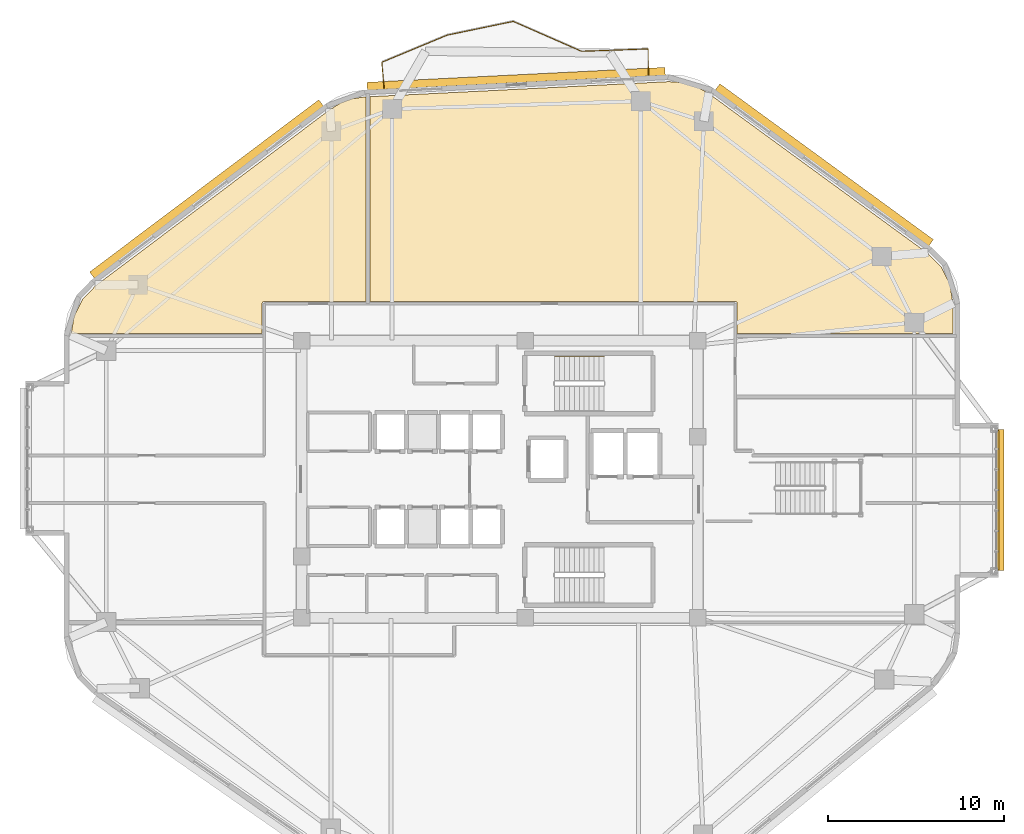
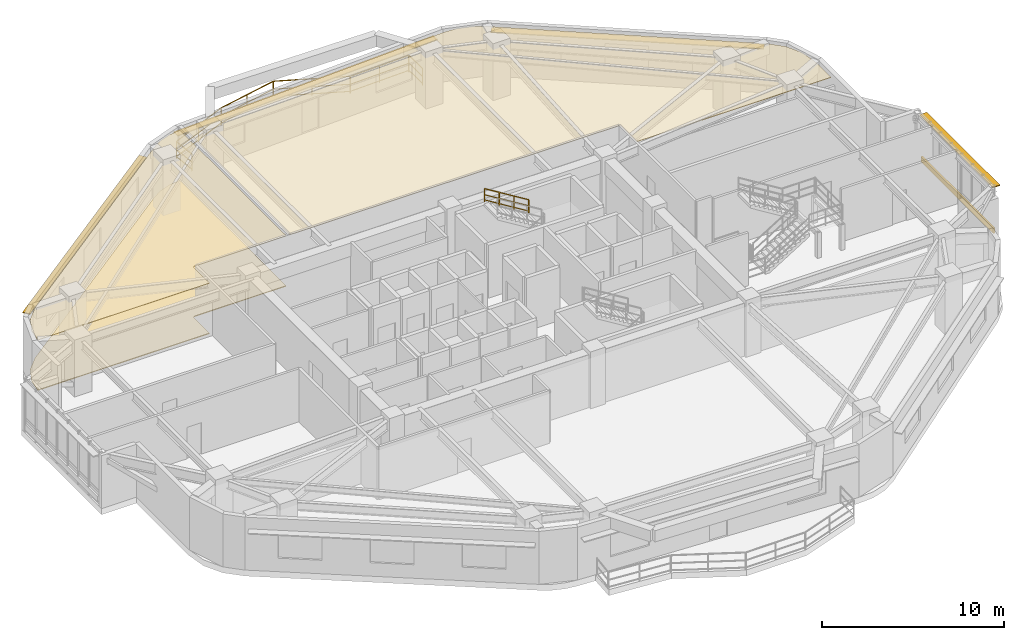
# One storey, part 15 of 16: 7 railings, 5 shading devices, 3 coverings.
"""IFC4 building model written with IfcOpenShell, lengths in metres."""

from ifc_helpers import new_model, si_unit, direction, frame, origin, origin_2d, place, context, subcontext, project, spatial, polyline, rectangle, outline, extrude, material, layer, layer_set, type_object, element, save


model = new_model("IFC4")

# Units and contexts
model_context = context("Model", 3, precision=1e-05, world=origin(), true_north=direction((0.0, 1.0)))
body_context = subcontext(model_context, "Body", "Model", "MODEL_VIEW")
ifc_project = project(units=[si_unit("LENGTHUNIT", "METRE"), si_unit("AREAUNIT", "SQUARE_METRE"), si_unit("VOLUMEUNIT", "CUBIC_METRE"), si_unit("PLANEANGLEUNIT", "RADIAN"), si_unit("MASSUNIT", "GRAM", prefix="KILO")], contexts=[model_context])

# Site, building, storey
site_placement = place(None, origin())
site = spatial("IfcSite", under=ifc_project, at=site_placement, CompositionType="ELEMENT")
building_placement = place(site_placement, origin())
building = spatial("IfcBuilding", under=site, at=building_placement, Name="Zulverin Broadcast Headquarters", CompositionType="ELEMENT")
storey_placement = place(building_placement, frame((0.0, 0.0, 125.0)))
storey = spatial("IfcBuildingStorey", under=building, at=storey_placement, Name="L31", CompositionType="ELEMENT", Elevation=125.0)

# Coverings
ifc_material_1 = material(Name="Perforated pale-metal acoustic baffle ceiling", Category="aluminium")
ifc_layer_1 = layer(ifc_material_1, 0.0400390625, Name="Perforated pale-metal acoustic baffle ceiling", Category="aluminium")
ifc_layer_set_1 = layer_set([ifc_layer_1], Name="Perforated pale-metal acoustic baffle ceiling")
covering_type_1 = type_object("IfcCoveringType", Name="COV-CEIL-ACOU", PredefinedType="CEILING", material=ifc_layer_set_1)
covering_1_placement = place(storey_placement, frame((0.0, 0.0, 3.360107421875)))
element("IfcCovering", 1, at=covering_1_placement, inside=storey, type_object=covering_type_1, Name="L31 Acoustic Baffle Ceiling 01", PredefinedType="CEILING", context=body_context, shape_type="SweptSolid", body=[
    extrude(outline(polyline([(14.02001953125, 36.23193359375), (13.251953125, 35.43994140625), (12.77197265625, 34.47998046875), (12.615966796875, 33.5), (23.47998046875, 33.5), (23.47998046875, 35.199951171875), (23.47998046875, 35.2119140625), (23.48388671875, 35.22412109375), (23.48388671875, 35.236083984375), (23.488037109375, 35.243896484375), (23.49609375, 35.256103515625), (23.5, 35.26806640625), (23.508056640625, 35.27587890625), (23.51611328125, 35.283935546875), (23.52392578125, 35.2919921875), (23.531982421875, 35.300048828125), (23.5439453125, 35.303955078125), (23.555908203125, 35.31201171875), (23.56396484375, 35.31591796875), (23.575927734375, 35.31591796875), (23.587890625, 35.320068359375), (23.60009765625, 35.320068359375), (29.3798828125, 35.320068359375), (29.3798828125, 46.964111328125), (29.303955078125, 46.9599609375), (28.60009765625, 46.85595703125), (27.951904296875, 46.6201171875), (27.343994140625, 46.248046875), (14.02001953125, 36.23193359375)])), origin(), (0.0, 0.0, 1.0), 0.039794921875),
])
covering_2_placement = place(storey_placement, frame((0.0, 0.0, 3.360107421875)))
element("IfcCovering", 2, at=covering_2_placement, inside=storey, type_object=covering_type_1, Name="L31 Acoustic Baffle Ceiling 02", PredefinedType="CEILING", context=body_context, shape_type="SweptSolid", body=[
    extrude(outline(polyline([(62.1279296875, 37.280029296875), (61.3359375, 38.075927734375), (48.904052734375, 47.152099609375), (48.19189453125, 47.552001953125), (47.43603515625, 47.77587890625), (46.6240234375, 47.83203125), (29.6201171875, 46.97607421875), (29.6201171875, 35.320068359375), (50.39990234375, 35.320068359375), (50.412109375, 35.320068359375), (50.424072265625, 35.31591796875), (50.43603515625, 35.31591796875), (50.444091796875, 35.31201171875), (50.4560546875, 35.303955078125), (50.468017578125, 35.300048828125), (50.47607421875, 35.2919921875), (50.48388671875, 35.283935546875), (50.491943359375, 35.27587890625), (50.5, 35.26806640625), (50.50390625, 35.256103515625), (50.511962890625, 35.243896484375), (50.51611328125, 35.236083984375), (50.51611328125, 35.22412109375), (50.52001953125, 35.2119140625), (50.52001953125, 35.199951171875), (50.52001953125, 33.5), (62.800048828125, 33.5), (62.800048828125, 35.199951171875), (62.6240234375, 36.30810546875), (62.1279296875, 37.280029296875)])), origin(), (0.0, 0.0, 1.0), 0.039794921875),
])
ifc_material_2 = material(Name="Anti-static broadcast raised access flooring", Category="stone")
ifc_layer_2 = layer(ifc_material_2, 0.050048828125, Name="Anti-static broadcast raised access flooring", Category="stone")
ifc_layer_set_2 = layer_set([ifc_layer_2], Name="Anti-static broadcast raised access flooring")
covering_type_2 = type_object("IfcCoveringType", Name="COV-FLR-RAISED", PredefinedType="FLOORING", material=ifc_layer_set_2)
covering_3_placement = place(storey_placement, origin())
element("IfcCovering", 3, at=covering_3_placement, inside=storey, type_object=covering_type_2, Name="L31 Broadcast Raised Access Flooring 01", PredefinedType="FLOORING", context=body_context, shape_type="SweptSolid", body=[
    extrude(outline(polyline([(14.02001953125, 36.23193359375), (13.251953125, 35.43994140625), (12.77197265625, 34.47998046875), (12.615966796875, 33.5), (23.47998046875, 33.5), (23.47998046875, 35.199951171875), (23.47998046875, 35.2119140625), (23.48388671875, 35.22412109375), (23.48388671875, 35.236083984375), (23.488037109375, 35.243896484375), (23.49609375, 35.256103515625), (23.5, 35.26806640625), (23.508056640625, 35.27587890625), (23.51611328125, 35.283935546875), (23.52392578125, 35.2919921875), (23.531982421875, 35.300048828125), (23.5439453125, 35.303955078125), (23.555908203125, 35.31201171875), (23.56396484375, 35.31591796875), (23.575927734375, 35.31591796875), (23.587890625, 35.320068359375), (23.60009765625, 35.320068359375), (29.3798828125, 35.320068359375), (29.3798828125, 46.964111328125), (29.303955078125, 46.9599609375), (28.60009765625, 46.85595703125), (27.951904296875, 46.6201171875), (27.343994140625, 46.248046875), (14.02001953125, 36.23193359375)])), origin(), (0.0, 0.0, 1.0), 0.050048828125),
])

# Railings
ifc_material_3 = material(Name="Brushed stainless steel & laminated glass balustrade", Category="steel")
railing_type_1 = type_object("IfcRailingType", Name="RL-GUARD-1150", PredefinedType="GUARDRAIL", material=ifc_material_3)
railing_1_placement = place(storey_placement, frame((45.464599609375, 48.212646484375, 0.0)))
element("IfcRailing", 4, at=railing_1_placement, inside=storey, type_object=railing_type_1, Name="L31 Vertical-Forest Balcony Guardrail BAL_N Segment 01", PredefinedType="GUARDRAIL", context=body_context, shape_type="SweptSolid", body=[
    extrude(rectangle(XDim=0.048095703125, YDim=0.048095703125, at=origin_2d()), frame((0.0, 0.0, 1.1259765625), z_axis=(-0.009658167329, 0.999953358814, 0.0), x_axis=(-0.999953358814, -0.009658167329, 0.0)), (0.0, 0.0, 1.0), 1.466064453125),
    extrude(rectangle(XDim=0.0419921875, YDim=0.0419921875, at=origin_2d()), frame((0.0, 0.0, 0.597900390625), z_axis=(-0.009658167329, 0.999953358814, 0.0), x_axis=(-0.999953358814, -0.009658167329, 0.0)), (0.0, 0.0, 1.0), 1.466064453125),
    extrude(rectangle(XDim=0.0419921875, YDim=0.0419921875, at=origin_2d()), frame((0.0, 0.0, 0.1201171875), z_axis=(-0.009658167329, 0.999953358814, 0.0), x_axis=(-0.999953358814, -0.009658167329, 0.0)), (0.0, 0.0, 1.0), 1.466064453125),
    extrude(rectangle(XDim=0.0419921875, YDim=0.0419921875, at=origin_2d()), origin(), (0.0, 0.0, 1.0), 1.101806640625),
    extrude(rectangle(XDim=0.0419921875, YDim=0.0419921875, at=origin_2d()), frame((-0.01416015625, 1.466064453125, 0.0)), (0.0, 0.0, 1.0), 1.101806640625),
])
railing_2_placement = place(storey_placement, frame((45.435302734375, 49.693359375, 0.0)))
element("IfcRailing", 5, at=railing_2_placement, inside=storey, type_object=railing_type_1, Name="L31 Vertical-Forest Balcony Guardrail BAL_N Segment 02", PredefinedType="GUARDRAIL", context=body_context, shape_type="SweptSolid", body=[
    extrude(rectangle(XDim=0.048095703125, YDim=0.048095703125, at=origin_2d()), frame((0.0, 0.0, 1.1259765625), z_axis=(-0.99936870455, -0.035527346746, 0.0), x_axis=(0.035527346746, -0.99936870455, 0.0)), (0.0, 0.0, 1.0), 3.765869140625),
    extrude(rectangle(XDim=0.0419921875, YDim=0.0419921875, at=origin_2d()), frame((0.0, 0.0, 0.597900390625), z_axis=(-0.99936870455, -0.035527346746, 0.0), x_axis=(0.035527346746, -0.99936870455, 0.0)), (0.0, 0.0, 1.0), 3.765869140625),
    extrude(rectangle(XDim=0.0419921875, YDim=0.0419921875, at=origin_2d()), frame((0.0, 0.0, 0.1201171875), z_axis=(-0.99936870455, -0.035527346746, 0.0), x_axis=(0.035527346746, -0.99936870455, 0.0)), (0.0, 0.0, 1.0), 3.765869140625),
    extrude(rectangle(XDim=0.0419921875, YDim=0.0419921875, at=origin_2d()), origin(), (0.0, 0.0, 1.0), 1.101806640625),
    extrude(rectangle(XDim=0.0419921875, YDim=0.0419921875, at=origin_2d()), frame((-1.8818359375, -0.06689453125, 0.0)), (0.0, 0.0, 1.0), 1.101806640625),
    extrude(rectangle(XDim=0.0419921875, YDim=0.0419921875, at=origin_2d()), frame((-3.763427734375, -0.1337890625, 0.0)), (0.0, 0.0, 1.0), 1.101806640625),
])
railing_3_placement = place(storey_placement, frame((41.643310546875, 49.565185546875, 0.0)))
element("IfcRailing", 6, at=railing_3_placement, inside=storey, type_object=railing_type_1, Name="L31 Vertical-Forest Balcony Guardrail BAL_N Segment 03", PredefinedType="GUARDRAIL", context=body_context, shape_type="SweptSolid", body=[
    extrude(rectangle(XDim=0.048095703125, YDim=0.048095703125, at=origin_2d()), frame((0.0, 0.0, 1.1259765625), z_axis=(-0.916013609104, 0.401147189864, 0.0), x_axis=(-0.401147189864, -0.916013609104, 0.0)), (0.0, 0.0, 1.0), 4.212158203125),
    extrude(rectangle(XDim=0.0419921875, YDim=0.0419921875, at=origin_2d()), frame((0.0, 0.0, 0.597900390625), z_axis=(-0.916013609104, 0.401147189864, 0.0), x_axis=(-0.401147189864, -0.916013609104, 0.0)), (0.0, 0.0, 1.0), 4.212158203125),
    extrude(rectangle(XDim=0.0419921875, YDim=0.0419921875, at=origin_2d()), frame((0.0, 0.0, 0.1201171875), z_axis=(-0.916013609104, 0.401147189864, 0.0), x_axis=(-0.401147189864, -0.916013609104, 0.0)), (0.0, 0.0, 1.0), 4.212158203125),
    extrude(rectangle(XDim=0.0419921875, YDim=0.0419921875, at=origin_2d()), origin(), (0.0, 0.0, 1.0), 1.101806640625),
    extrude(rectangle(XDim=0.0419921875, YDim=0.0419921875, at=origin_2d()), frame((-1.92919921875, 0.8447265625, 0.0)), (0.0, 0.0, 1.0), 1.101806640625),
    extrude(rectangle(XDim=0.0419921875, YDim=0.0419921875, at=origin_2d()), frame((-3.8583984375, 1.689697265625, 0.0)), (0.0, 0.0, 1.0), 1.101806640625),
])
railing_4_placement = place(storey_placement, frame((37.756591796875, 51.2578125, 0.0)))
element("IfcRailing", 7, at=railing_4_placement, inside=storey, type_object=railing_type_1, Name="L31 Vertical-Forest Balcony Guardrail BAL_N Segment 04", PredefinedType="GUARDRAIL", context=body_context, shape_type="SweptSolid", body=[
    extrude(rectangle(XDim=0.048095703125, YDim=0.048095703125, at=origin_2d()), frame((0.0, 0.0, 1.1259765625), z_axis=(-0.979059219682, -0.203575647746, 0.0), x_axis=(0.203575647746, -0.979059219682, 0.0)), (0.0, 0.0, 1.0), 3.811279296875),
    extrude(rectangle(XDim=0.0419921875, YDim=0.0419921875, at=origin_2d()), frame((0.0, 0.0, 0.597900390625), z_axis=(-0.979059219682, -0.203575647746, 0.0), x_axis=(0.203575647746, -0.979059219682, 0.0)), (0.0, 0.0, 1.0), 3.811279296875),
    extrude(rectangle(XDim=0.0419921875, YDim=0.0419921875, at=origin_2d()), frame((0.0, 0.0, 0.1201171875), z_axis=(-0.979059219682, -0.203575647746, 0.0), x_axis=(0.203575647746, -0.979059219682, 0.0)), (0.0, 0.0, 1.0), 3.811279296875),
    extrude(rectangle(XDim=0.0419921875, YDim=0.0419921875, at=origin_2d()), origin(), (0.0, 0.0, 1.0), 1.101806640625),
    extrude(rectangle(XDim=0.0419921875, YDim=0.0419921875, at=origin_2d()), frame((-1.86572265625, -0.387939453125, 0.0)), (0.0, 0.0, 1.0), 1.101806640625),
    extrude(rectangle(XDim=0.0419921875, YDim=0.0419921875, at=origin_2d()), frame((-3.7314453125, -0.77587890625, 0.0)), (0.0, 0.0, 1.0), 1.101806640625),
])
railing_5_placement = place(storey_placement, frame((33.99658203125, 50.47314453125, 0.0)))
element("IfcRailing", 8, at=railing_5_placement, inside=storey, type_object=railing_type_1, Name="L31 Vertical-Forest Balcony Guardrail BAL_N Segment 05", PredefinedType="GUARDRAIL", context=body_context, shape_type="SweptSolid", body=[
    extrude(rectangle(XDim=0.048095703125, YDim=0.048095703125, at=origin_2d()), frame((0.0, 0.0, 1.1259765625), z_axis=(-0.923549257386, -0.383479815872, 0.0), x_axis=(0.383479815872, -0.923549257386, 0.0)), (0.0, 0.0, 1.0), 4.000732421875),
    extrude(rectangle(XDim=0.0419921875, YDim=0.0419921875, at=origin_2d()), frame((0.0, 0.0, 0.597900390625), z_axis=(-0.923549257386, -0.383479815872, 0.0), x_axis=(0.383479815872, -0.923549257386, 0.0)), (0.0, 0.0, 1.0), 4.000732421875),
    extrude(rectangle(XDim=0.0419921875, YDim=0.0419921875, at=origin_2d()), frame((0.0, 0.0, 0.1201171875), z_axis=(-0.923549257386, -0.383479815872, 0.0), x_axis=(0.383479815872, -0.923549257386, 0.0)), (0.0, 0.0, 1.0), 4.000732421875),
    extrude(rectangle(XDim=0.0419921875, YDim=0.0419921875, at=origin_2d()), origin(), (0.0, 0.0, 1.0), 1.101806640625),
    extrude(rectangle(XDim=0.0419921875, YDim=0.0419921875, at=origin_2d()), frame((-1.847412109375, -0.76708984375, 0.0)), (0.0, 0.0, 1.0), 1.101806640625),
    extrude(rectangle(XDim=0.0419921875, YDim=0.0419921875, at=origin_2d()), frame((-3.69482421875, -1.5341796875, 0.0)), (0.0, 0.0, 1.0), 1.101806640625),
])
railing_6_placement = place(storey_placement, frame((30.289306640625, 48.918212890625, 0.0)))
element("IfcRailing", 9, at=railing_6_placement, inside=storey, type_object=railing_type_1, Name="L31 Vertical-Forest Balcony Guardrail BAL_N Segment 06", PredefinedType="GUARDRAIL", context=body_context, shape_type="SweptSolid", body=[
    extrude(rectangle(XDim=0.048095703125, YDim=0.048095703125, at=origin_2d()), frame((0.0, 0.0, 1.1259765625), z_axis=(0.090415638869, -0.995904117999, 0.0), x_axis=(0.995904117999, 0.090415638869, 0.0)), (0.0, 0.0, 1.0), 1.46630859375),
    extrude(rectangle(XDim=0.0419921875, YDim=0.0419921875, at=origin_2d()), frame((0.0, 0.0, 0.597900390625), z_axis=(0.090415638869, -0.995904117999, 0.0), x_axis=(0.995904117999, 0.090415638869, 0.0)), (0.0, 0.0, 1.0), 1.46630859375),
    extrude(rectangle(XDim=0.0419921875, YDim=0.0419921875, at=origin_2d()), frame((0.0, 0.0, 0.1201171875), z_axis=(0.090415638869, -0.995904117999, 0.0), x_axis=(0.995904117999, 0.090415638869, 0.0)), (0.0, 0.0, 1.0), 1.46630859375),
    extrude(rectangle(XDim=0.0419921875, YDim=0.0419921875, at=origin_2d()), origin(), (0.0, 0.0, 1.0), 1.101806640625),
    extrude(rectangle(XDim=0.0419921875, YDim=0.0419921875, at=origin_2d()), frame((0.132568359375, -1.460205078125, 0.0)), (0.0, 0.0, 1.0), 1.101806640625),
])
ifc_material_4 = material(Name="Brushed stainless steel 48 mm handrail", Category="steel")
railing_type_2 = type_object("IfcRailingType", Name="RL-ST-HAND", PredefinedType="HANDRAIL", material=ifc_material_4)
railing_7_placement = place(storey_placement, frame((42.929931640625, 32.199951171875, 2.07275390625)))
element("IfcRailing", 10, at=railing_7_placement, inside=storey, type_object=railing_type_2, Name="L31 ST-1 stair handrail 2", PredefinedType="HANDRAIL", context=body_context, shape_type="SweptSolid", body=[
    extrude(rectangle(XDim=0.048095703125, YDim=0.048095703125, at=origin_2d()), frame((0.0, 0.0, 0.8759765625), z_axis=(-0.851089632645, 0.0, 0.525020415988), x_axis=(0.0, -1.0, 0.0)), (0.0, 0.0, 1.0), 3.2900390625),
    extrude(rectangle(XDim=0.0419921875, YDim=0.0419921875, at=origin_2d()), frame((0.0, 0.0, 0.468017578125), z_axis=(-0.851089632645, 0.0, 0.525020415988), x_axis=(0.0, -1.0, 0.0)), (0.0, 0.0, 1.0), 3.2900390625),
    extrude(rectangle(XDim=0.0419921875, YDim=0.0419921875, at=origin_2d()), frame((0.0, 0.0, 0.1201171875), z_axis=(-0.851089632645, 0.0, 0.525020415988), x_axis=(0.0, -1.0, 0.0)), (0.0, 0.0, 1.0), 3.2900390625),
    extrude(rectangle(XDim=0.0419921875, YDim=0.0419921875, at=origin_2d()), origin(), (0.0, 0.0, 1.0), 0.851806640625),
    extrude(rectangle(XDim=0.0419921875, YDim=0.0419921875, at=origin_2d()), frame((-0.933349609375, 0.0, 0.57568359375)), (0.0, 0.0, 1.0), 0.851806640625),
    extrude(rectangle(XDim=0.0419921875, YDim=0.0419921875, at=origin_2d()), frame((-1.86669921875, 0.0, 1.151611328125)), (0.0, 0.0, 1.0), 0.851806640625),
    extrude(rectangle(XDim=0.0419921875, YDim=0.0419921875, at=origin_2d()), frame((-2.800048828125, 0.0, 1.727294921875)), (0.0, 0.0, 1.0), 0.851806640625),
])

# Shading devices
ifc_material_5 = material(Name="Anodized pale-metal aluminium acoustic louvre", Category="aluminium")
shading_device_type_1 = type_object("IfcShadingDeviceType", Name="SHD-LOUVRE-350", PredefinedType="USERDEFINED", material=ifc_material_5)
shading_device_1_placement = place(storey_placement, frame((65.360107421875, 24.010009765625, 0.224853515625), z_axis=(0.0, 0.0, 1.0), x_axis=(0.0, 1.0, 0.0)))
element("IfcShadingDevice", 11, at=shading_device_1_placement, inside=storey, type_object=shading_device_type_1, Name="L31 Pale-Metal Acoustic Louvre Screen CW-L31-SBOX_SKY1_E-F", ObjectType="LOUVRE", PredefinedType="USERDEFINED", context=body_context, shape_type="SweptSolid", body=[
    extrude(rectangle(XDim=7.93994140625, YDim=0.1201171875, at=origin_2d()), origin(), (0.0, 0.0, 1.0), 0.35009765625),
])
ifc_material_6 = material(Name="Anodized pale-metal aluminium sunshade", Category="aluminium")
ifc_layer_3 = layer(ifc_material_6, 0.06005859375, Name="Anodized pale-metal aluminium sunshade", Category="aluminium")
ifc_layer_set_3 = layer_set([ifc_layer_3], Name="Anodized pale-metal aluminium sunshade")
shading_device_type_2 = type_object("IfcShadingDeviceType", Name="SS-01_PALE_METAL_ALUMINIUM_SUNSHADE", PredefinedType="USERDEFINED", material=ifc_layer_set_3)
shading_device_2_placement = place(storey_placement, frame((55.476806640625, 43.0947265625, 2.7099609375), z_axis=(0.0, 0.0, 1.0), x_axis=(-0.807814001495, 0.589437476742, 0.0)))
element("IfcShadingDevice", 12, at=shading_device_2_placement, inside=storey, type_object=shading_device_type_2, Name="L31 Horizontal Pale-Metal Sunshade Band 4", ObjectType="SUNSHADE", PredefinedType="USERDEFINED", context=body_context, shape_type="SweptSolid", body=[
    extrude(rectangle(XDim=15.048583984375, YDim=0.449951171875, at=origin_2d()), origin(), (0.0, 0.0, 1.0), 0.06005859375),
])
shading_device_3_placement = place(storey_placement, frame((37.935302734375, 47.9951171875, 2.7099609375), z_axis=(0.0, 0.0, 1.0), x_axis=(-0.998743962301, -0.050104867704, 0.0)))
element("IfcShadingDevice", 13, at=shading_device_3_placement, inside=storey, type_object=shading_device_type_2, Name="L31 Horizontal Pale-Metal Sunshade Band 5", ObjectType="SUNSHADE", PredefinedType="USERDEFINED", context=body_context, shape_type="SweptSolid", body=[
    extrude(rectangle(XDim=16.981689453125, YDim=0.449951171875, at=origin_2d()), origin(), (0.0, 0.0, 1.0), 0.06005859375),
])
shading_device_4_placement = place(storey_placement, frame((20.31640625, 41.718994140625, 2.7099609375), z_axis=(0.0, 0.0, 1.0), x_axis=(-0.799275780179, -0.60096441427, 0.0)))
element("IfcShadingDevice", 14, at=shading_device_4_placement, inside=storey, type_object=shading_device_type_2, Name="L31 Horizontal Pale-Metal Sunshade Band 6", ObjectType="SUNSHADE", PredefinedType="USERDEFINED", context=body_context, shape_type="SweptSolid", body=[
    extrude(rectangle(XDim=16.316162109375, YDim=0.449951171875, at=origin_2d()), origin(), (0.0, 0.0, 1.0), 0.06005859375),
])
shading_device_5_placement = place(storey_placement, frame((65.47998046875, 24.010009765625, 3.31005859375), z_axis=(0.0, 0.0, 1.0), x_axis=(0.0, 1.0, 0.0)))
element("IfcShadingDevice", 15, at=shading_device_5_placement, inside=storey, type_object=shading_device_type_2, Name="L31 Pale-Metal Horizontal Sunshade Band CW-L31-SBOX_SKY1_E-F", ObjectType="SUNSHADE", PredefinedType="USERDEFINED", context=body_context, shape_type="SweptSolid", body=[
    extrude(rectangle(XDim=8.02001953125, YDim=0.449951171875, at=origin_2d()), origin(), (0.0, 0.0, 1.0), 0.06005859375),
])

save(model, "model.ifc")
